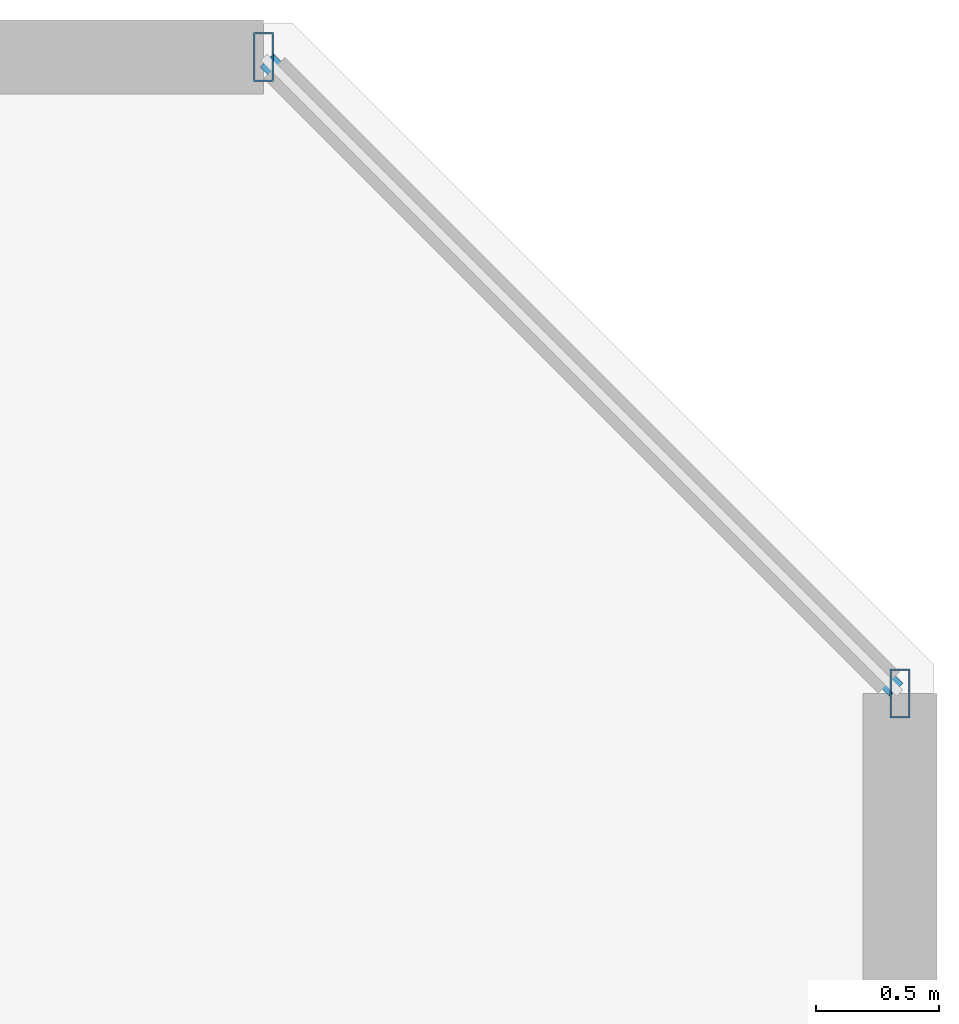
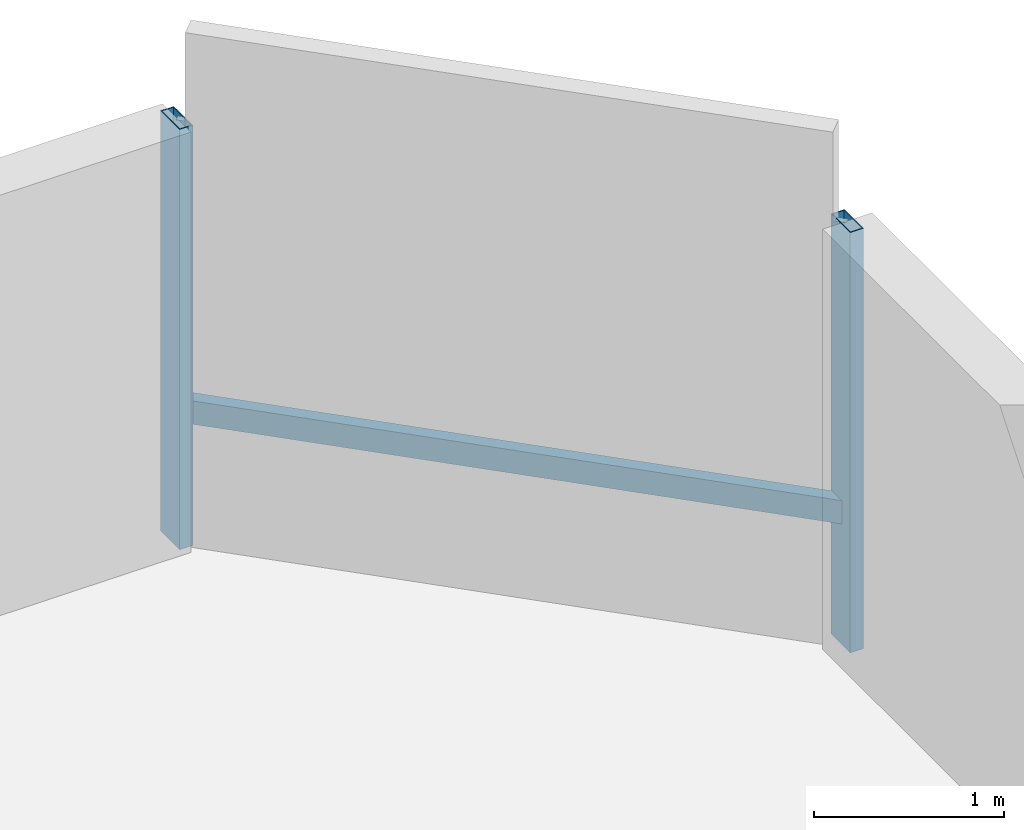
# One storey, part 16 of 30: 3 members, 1 element without a shape of its own.
"""IFC4 building model written with IfcOpenShell, lengths in metres."""

from ifc_helpers import new_model, si_unit, direction, frame, origin, origin_2d, place, context, subcontext, project, spatial, hollow_rectangle, extrude, material, material_profile, profile_set, type_object, element, aggregate, save


model = new_model("IFC4")

# Units and contexts
model_context = context("Model", 3, precision=1e-05, world=origin(), true_north=direction((0.0, 1.0)))
body_context = subcontext(model_context, "Body", "Model", "MODEL_VIEW")
ifc_project = project(units=[si_unit("LENGTHUNIT", "METRE"), si_unit("AREAUNIT", "SQUARE_METRE"), si_unit("VOLUMEUNIT", "CUBIC_METRE"), si_unit("PLANEANGLEUNIT", "RADIAN"), si_unit("MASSUNIT", "GRAM", prefix="KILO")], contexts=[model_context])

# Site, building, storey
site_placement = place(None, origin())
site = spatial("IfcSite", under=ifc_project, at=site_placement, CompositionType="ELEMENT")
building_placement = place(site_placement, origin())
building = spatial("IfcBuilding", under=site, at=building_placement, Name="Thornwick Lancets Civic Towers", CompositionType="ELEMENT")
storey_placement = place(building_placement, frame((0.0, 0.0, 149.10009765625)))
storey = spatial("IfcBuildingStorey", under=building, at=storey_placement, Name="L39", CompositionType="ELEMENT", Elevation=149.10009765625)

# Curtain wall, members
ifc_material_1 = material(Name="Mid-zone chamfered-corner unitised glass curtain wall", Category="glass")
curtain_wall_type = type_object("IfcCurtainWallType", Name="CW_SYS_04", PredefinedType="NOTDEFINED", material=ifc_material_1)
curtain_wall_placement = place(storey_placement, origin())
curtain_wall = element("IfcCurtainWall", 1, at=curtain_wall_placement, inside=storey, type_object=curtain_wall_type, Name="L39 Curtain Wall CW-L39-B-E3", PredefinedType="NOTDEFINED")
ifc_material_2 = material(Name="Thermally broken bronze aluminium S355", Category="steel")
ifc_material_profile_1 = material_profile(ifc_material_2, hollow_rectangle(XDim=0.080078125, YDim=0.199951171875, WallThickness=0.006103515625, at=origin_2d()), Name="RHS 200x80x6")
ifc_profile_set_1 = profile_set([ifc_material_profile_1], Name="Thermally broken bronze aluminium S355")
member_type_1 = type_object("IfcMemberType", Name="CW_MUL_200", PredefinedType="MULLION", material=ifc_profile_set_1)
member_1_placement = place(storey_placement, frame((112.2646484375, 48.181396484375, 0.0), z_axis=(0.0, 0.0, 1.0), x_axis=(1.0, 0.0, 0.0)))
member_1 = element("IfcMember", 2, at=member_1_placement, type_object=member_type_1, Name="CW-L39-B-E3 Mullion 0", PredefinedType="MULLION", context=body_context, shape_type="SweptSolid", body=[
    extrude(hollow_rectangle(XDim=0.080078125, YDim=0.199951171875, WallThickness=0.006103515625, at=origin_2d()), origin(), (0.0, 0.0, 1.0), 2.699951171875),
])
member_2_placement = place(storey_placement, frame((109.681396484375, 50.7646484375, 0.0), z_axis=(0.0, 0.0, 1.0), x_axis=(1.0, 0.0, 0.0)))
member_2 = element("IfcMember", 3, at=member_2_placement, type_object=member_type_1, Name="CW-L39-B-E3 Mullion 1", PredefinedType="MULLION", context=body_context, shape_type="SweptSolid", body=[
    extrude(hollow_rectangle(XDim=0.080078125, YDim=0.199951171875, WallThickness=0.006103515625, at=origin_2d()), origin(), (0.0, 0.0, 1.0), 2.699951171875),
])
ifc_material_profile_2 = material_profile(ifc_material_2, hollow_rectangle(XDim=0.074951171875, YDim=0.14990234375, WallThickness=0.0048828125, at=origin_2d()), Name="RHS 150x75x5")
ifc_profile_set_2 = profile_set([ifc_material_profile_2], Name="Thermally broken bronze aluminium S355")
member_type_2 = type_object("IfcMemberType", Name="CW_TRN_150", PredefinedType="USERDEFINED", material=ifc_profile_set_2)
member_3_placement = place(storey_placement, frame((112.25048828125, 48.195556640625, 0.849853515625), z_axis=(-0.707106781187, 0.707106781187, 0.0), x_axis=(-0.707106781187, -0.707106781187, 0.0)))
member_3 = element("IfcMember", 4, at=member_3_placement, type_object=member_type_2, Name="CW-L39-B-E3 Transom 0", ObjectType="TRANSOM", PredefinedType="USERDEFINED", context=body_context, shape_type="SweptSolid", body=[
    extrude(hollow_rectangle(XDim=0.074951171875, YDim=0.14990234375, WallThickness=0.0048828125, at=origin_2d()), origin(), (0.0, 0.0, 1.0), 3.61328125),
])
aggregate(curtain_wall, [member_1, member_2, member_3])

save(model, "model.ifc")
